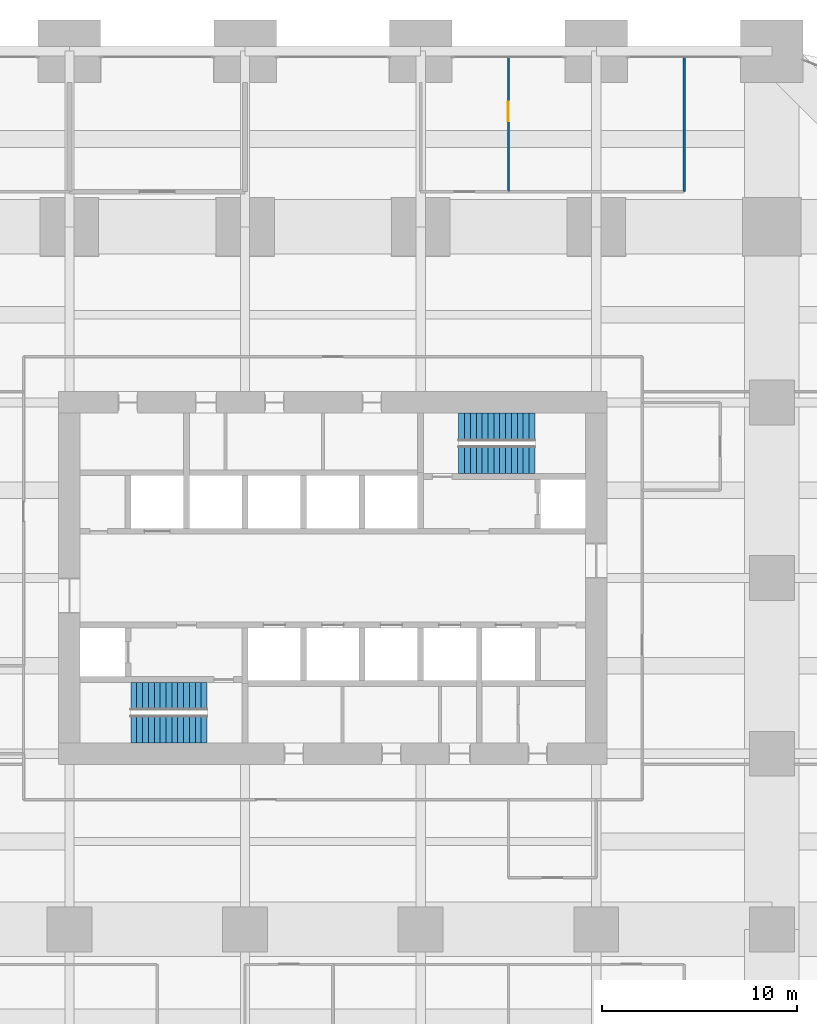
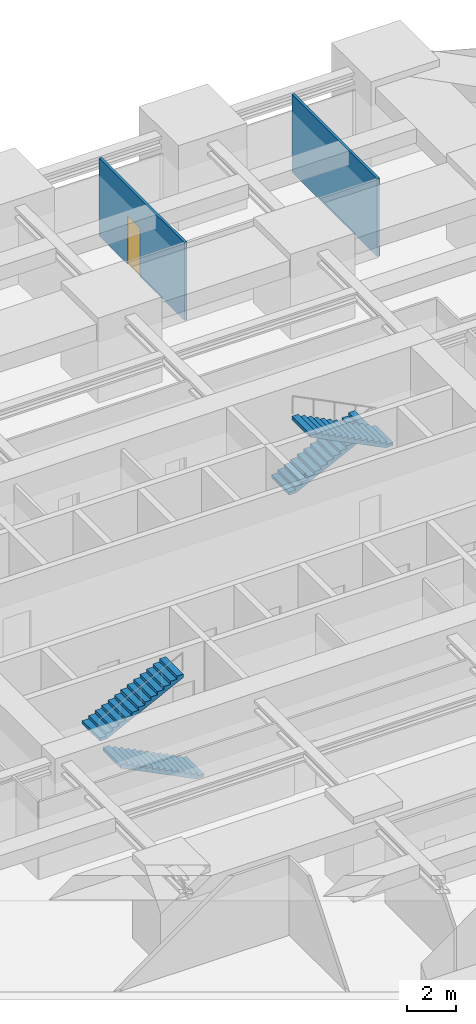
# One storey, part 41 of 42: 4 stair flights, 2 walls, 1 door, 1 opening, 2 elements without a shape of their own.
"""IFC4 building model written with IfcOpenShell, lengths in metres."""

from ifc_helpers import new_model, si_unit, direction, frame, frame_2d, origin, place, context, subcontext, project, spatial, polyline, rectangle, outline, extrude, material, layer, layer_set, type_object, element, fill, aggregate, save


model = new_model("IFC4")

# Units and contexts
model_context = context("Model", 3, precision=1e-05, world=origin(), true_north=direction((0.0, 1.0)))
body_context = subcontext(model_context, "Body", "Model", "MODEL_VIEW")
ifc_project = project(units=[si_unit("LENGTHUNIT", "METRE"), si_unit("AREAUNIT", "SQUARE_METRE"), si_unit("VOLUMEUNIT", "CUBIC_METRE"), si_unit("PLANEANGLEUNIT", "RADIAN"), si_unit("MASSUNIT", "GRAM", prefix="KILO")], contexts=[model_context])

# Site, building, storey
site_placement = place(None, origin())
site = spatial("IfcSite", under=ifc_project, at=site_placement, CompositionType="ELEMENT")
building_placement = place(site_placement, origin())
building = spatial("IfcBuilding", under=site, at=building_placement, Name="Zorevar Civic Tower", CompositionType="ELEMENT")
storey_placement = place(building_placement, frame((0.0, 0.0, 75.800048828125)))
storey = spatial("IfcBuildingStorey", under=building, at=storey_placement, Name="L18", CompositionType="ELEMENT", Elevation=75.800048828125)

# Wall, opening, door
ifc_material_1 = material(Name="Gypsum board on steel studs", Category="steel")
ifc_layer = layer(ifc_material_1, 0.1201171875)
ifc_layer_set = layer_set([ifc_layer], Name="Partition 120")
wall_type = type_object("IfcWallType", Name="Partition 120", PredefinedType="PARTITIONING", material=ifc_layer_set)
wall_1_placement = place(storey_placement, frame((40.5, 46.800048828125, 0.0), z_axis=(0.0, 0.0, 1.0), x_axis=(0.0, 1.0, 0.0)))
wall_1 = element("IfcWall", 1, at=wall_1_placement, inside=storey, type_object=wall_type, Name="Partition 120 L18", PredefinedType="PARTITIONING", context=body_context, shape_type="SweptSolid", body=[
    extrude(rectangle(XDim=6.889892578125, YDim=0.1201171875, at=frame_2d((3.44482421875, 0.0))), origin(), (0.0, 0.0, 1.0), 3.849853515625),
])
opening_placement = place(wall_1_placement, frame((3.60009765625, 0.0, 0.0)))
opening = element("IfcOpeningElement", 2, at=opening_placement, cuts=wall_1, Name="Opening L18.34", PredefinedType="OPENING", context=body_context, shape_type="SweptSolid", body=[
    extrude(rectangle(XDim=1.0, YDim=2.39990234375, at=frame_2d((0.5, 1.199951171875))), frame((0.0, 0.070068359375, 0.0), z_axis=(0.0, -1.0, 0.0), x_axis=(1.0, 0.0, 0.0)), (0.0, 0.0, 1.0), 0.14013671875),
])
ifc_material_2 = material(Name="Timber door set", Category="wood")
door_type = type_object("IfcDoorType", Name="Door D1 1000x2400", OperationType="SINGLE_SWING_LEFT", PredefinedType="DOOR", material=ifc_material_2)
door_placement = place(opening_placement, origin())
door = element("IfcDoor", 3, at=door_placement, inside=storey, type_object=door_type, Name="Door L18 D1", OperationType="SINGLE_SWING_RIGHT", OverallHeight=2.39990234375, OverallWidth=1.0, PredefinedType="DOOR", context=body_context, shape_type="SweptSolid", body=[
    extrude(rectangle(XDim=1.0, YDim=2.39990234375, at=frame_2d((0.5, 1.199951171875))), frame((0.0, 0.02490234375, 0.0), z_axis=(0.0, -1.0, 0.0), x_axis=(1.0, 0.0, 0.0)), (0.0, 0.0, 1.0), 0.050048828125),
])
fill(opening, door)

# Wall
wall_2_placement = place(storey_placement, frame((49.5, 46.800048828125, 0.0), z_axis=(0.0, 0.0, 1.0), x_axis=(0.0, 1.0, 0.0)))
element("IfcWall", 4, at=wall_2_placement, inside=storey, type_object=wall_type, Name="Partition 120 L18", PredefinedType="PARTITIONING", context=body_context, shape_type="SweptSolid", body=[
    extrude(rectangle(XDim=6.889892578125, YDim=0.1201171875, at=frame_2d((3.44482421875, 0.0))), origin(), (0.0, 0.0, 1.0), 3.849853515625),
])

# Stair, stair flights
ifc_material_3 = material(Name="Precast concrete C40/50", Category="concrete")
stair_type = type_object("IfcStairType", Name="Stair ST 28R", PredefinedType="HALF_TURN_STAIR", material=ifc_material_3)
stair_1_placement = place(storey_placement, origin())
stair_1 = element("IfcStair", 5, at=stair_1_placement, inside=storey, type_object=stair_type, Name="Stair ST1 L18", PredefinedType="HALF_TURN_STAIR")
ifc_material_4 = material(Name="Precast concrete C40/50", Category="concrete")
stair_flight_type = type_object("IfcStairFlightType", Name="Stair flight", PredefinedType="STRAIGHT", material=ifc_material_4)
stair_flight_1_placement = place(storey_placement, frame((25.050048828125, 19.262451171875, 0.0), z_axis=(0.0, 0.0, 1.0), x_axis=(-1.0, 0.0, 0.0)))
stair_flight_1 = element("IfcStairFlight", 6, at=stair_flight_1_placement, type_object=stair_flight_type, Name="ST1 flight 1", NumberOfRisers=14, NumberOfTreads=13, PredefinedType="STRAIGHT", RiserHeight=0.15, TreadLength=0.3, context=body_context, shape_type="SweptSolid", body=[
    extrude(outline(polyline([(0.0, 0.0), (0.0, 0.14990234375), (0.300048828125, 0.14990234375), (0.300048828125, 0.300048828125), (0.60009765625, 0.300048828125), (0.60009765625, 0.449951171875), (0.89990234375, 0.449951171875), (0.89990234375, 0.60009765625), (1.199951171875, 0.60009765625), (1.199951171875, 0.75), (1.5, 0.75), (1.5, 0.89990234375), (1.800048828125, 0.89990234375), (1.800048828125, 1.050048828125), (2.10009765625, 1.050048828125), (2.10009765625, 1.199951171875), (2.39990234375, 1.199951171875), (2.39990234375, 1.35009765625), (2.699951171875, 1.35009765625), (2.699951171875, 1.5), (3.0, 1.5), (3.0, 1.64990234375), (3.300048828125, 1.64990234375), (3.300048828125, 1.800048828125), (3.60009765625, 1.800048828125), (3.60009765625, 1.949951171875), (3.89990234375, 1.949951171875), (3.89990234375, 2.10009765625), (3.89990234375, 1.782470703125), (0.335205078125, 0.0), (0.0, 0.0)])), frame((0.0, 0.71240234375, 0.0), z_axis=(0.0, -1.0, 0.0), x_axis=(1.0, 0.0, 0.0)), (0.0, 0.0, 1.0), 1.425048828125),
])
stair_flight_2_placement = place(storey_placement, frame((21.14990234375, 20.9375, 2.099853515625), z_axis=(0.0, 0.0, 1.0), x_axis=(1.0, 0.0, 0.0)))
stair_flight_2 = element("IfcStairFlight", 7, at=stair_flight_2_placement, type_object=stair_flight_type, Name="ST1 flight 2", NumberOfRisers=14, NumberOfTreads=13, PredefinedType="STRAIGHT", RiserHeight=0.15, TreadLength=0.3, context=body_context, shape_type="SweptSolid", body=[
    extrude(outline(polyline([(0.0, 0.0), (0.0, 0.14990234375), (0.300048828125, 0.14990234375), (0.300048828125, 0.300048828125), (0.60009765625, 0.300048828125), (0.60009765625, 0.449951171875), (0.89990234375, 0.449951171875), (0.89990234375, 0.60009765625), (1.199951171875, 0.60009765625), (1.199951171875, 0.75), (1.5, 0.75), (1.5, 0.89990234375), (1.800048828125, 0.89990234375), (1.800048828125, 1.050048828125), (2.10009765625, 1.050048828125), (2.10009765625, 1.199951171875), (2.39990234375, 1.199951171875), (2.39990234375, 1.35009765625), (2.699951171875, 1.35009765625), (2.699951171875, 1.5), (3.0, 1.5), (3.0, 1.64990234375), (3.300048828125, 1.64990234375), (3.300048828125, 1.800048828125), (3.60009765625, 1.800048828125), (3.60009765625, 1.949951171875), (3.89990234375, 1.949951171875), (3.89990234375, 2.10009765625), (3.89990234375, 1.782470703125), (0.335205078125, 0.0), (0.0, 0.0)])), frame((0.0, 0.71240234375, 0.0), z_axis=(0.0, -1.0, 0.0), x_axis=(1.0, 0.0, 0.0)), (0.0, 0.0, 1.0), 1.425048828125),
])
aggregate(stair_1, [stair_flight_1, stair_flight_2])

stair_2_placement = place(storey_placement, origin())
stair_2 = element("IfcStair", 8, at=stair_2_placement, inside=storey, type_object=stair_type, Name="Stair ST2 L18", PredefinedType="HALF_TURN_STAIR")
stair_flight_3_placement = place(storey_placement, frame((37.949951171875, 34.737548828125, 0.0), z_axis=(0.0, 0.0, 1.0), x_axis=(1.0, 0.0, 0.0)))
stair_flight_3 = element("IfcStairFlight", 9, at=stair_flight_3_placement, type_object=stair_flight_type, Name="ST2 flight 1", NumberOfRisers=14, NumberOfTreads=13, PredefinedType="STRAIGHT", RiserHeight=0.15, TreadLength=0.3, context=body_context, shape_type="SweptSolid", body=[
    extrude(outline(polyline([(0.0, 0.0), (0.0, 0.14990234375), (0.300048828125, 0.14990234375), (0.300048828125, 0.300048828125), (0.60009765625, 0.300048828125), (0.60009765625, 0.449951171875), (0.89990234375, 0.449951171875), (0.89990234375, 0.60009765625), (1.199951171875, 0.60009765625), (1.199951171875, 0.75), (1.5, 0.75), (1.5, 0.89990234375), (1.800048828125, 0.89990234375), (1.800048828125, 1.050048828125), (2.10009765625, 1.050048828125), (2.10009765625, 1.199951171875), (2.39990234375, 1.199951171875), (2.39990234375, 1.35009765625), (2.699951171875, 1.35009765625), (2.699951171875, 1.5), (3.0, 1.5), (3.0, 1.64990234375), (3.300048828125, 1.64990234375), (3.300048828125, 1.800048828125), (3.60009765625, 1.800048828125), (3.60009765625, 1.949951171875), (3.89990234375, 1.949951171875), (3.89990234375, 2.10009765625), (3.89990234375, 1.782470703125), (0.335205078125, 0.0), (0.0, 0.0)])), frame((0.0, 0.71240234375, 0.0), z_axis=(0.0, -1.0, 0.0), x_axis=(1.0, 0.0, 0.0)), (0.0, 0.0, 1.0), 1.425048828125),
])
stair_flight_4_placement = place(storey_placement, frame((41.85009765625, 33.0625, 2.099853515625), z_axis=(0.0, 0.0, 1.0), x_axis=(-1.0, 0.0, 0.0)))
stair_flight_4 = element("IfcStairFlight", 10, at=stair_flight_4_placement, type_object=stair_flight_type, Name="ST2 flight 2", NumberOfRisers=14, NumberOfTreads=13, PredefinedType="STRAIGHT", RiserHeight=0.15, TreadLength=0.3, context=body_context, shape_type="SweptSolid", body=[
    extrude(outline(polyline([(0.0, 0.0), (0.0, 0.14990234375), (0.300048828125, 0.14990234375), (0.300048828125, 0.300048828125), (0.60009765625, 0.300048828125), (0.60009765625, 0.449951171875), (0.89990234375, 0.449951171875), (0.89990234375, 0.60009765625), (1.199951171875, 0.60009765625), (1.199951171875, 0.75), (1.5, 0.75), (1.5, 0.89990234375), (1.800048828125, 0.89990234375), (1.800048828125, 1.050048828125), (2.10009765625, 1.050048828125), (2.10009765625, 1.199951171875), (2.39990234375, 1.199951171875), (2.39990234375, 1.35009765625), (2.699951171875, 1.35009765625), (2.699951171875, 1.5), (3.0, 1.5), (3.0, 1.64990234375), (3.300048828125, 1.64990234375), (3.300048828125, 1.800048828125), (3.60009765625, 1.800048828125), (3.60009765625, 1.949951171875), (3.89990234375, 1.949951171875), (3.89990234375, 2.10009765625), (3.89990234375, 1.782470703125), (0.335205078125, 0.0), (0.0, 0.0)])), frame((0.0, 0.71240234375, 0.0), z_axis=(0.0, -1.0, 0.0), x_axis=(1.0, 0.0, 0.0)), (0.0, 0.0, 1.0), 1.425048828125),
])
aggregate(stair_2, [stair_flight_3, stair_flight_4])

save(model, "model.ifc")
